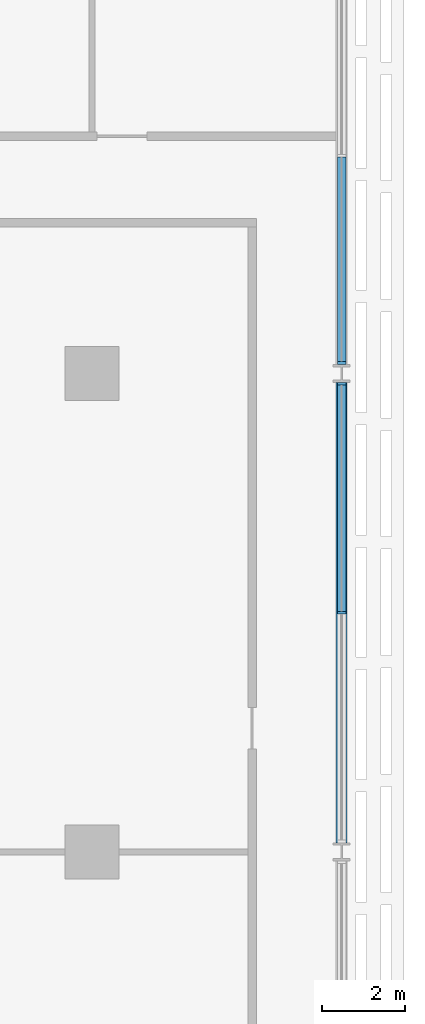
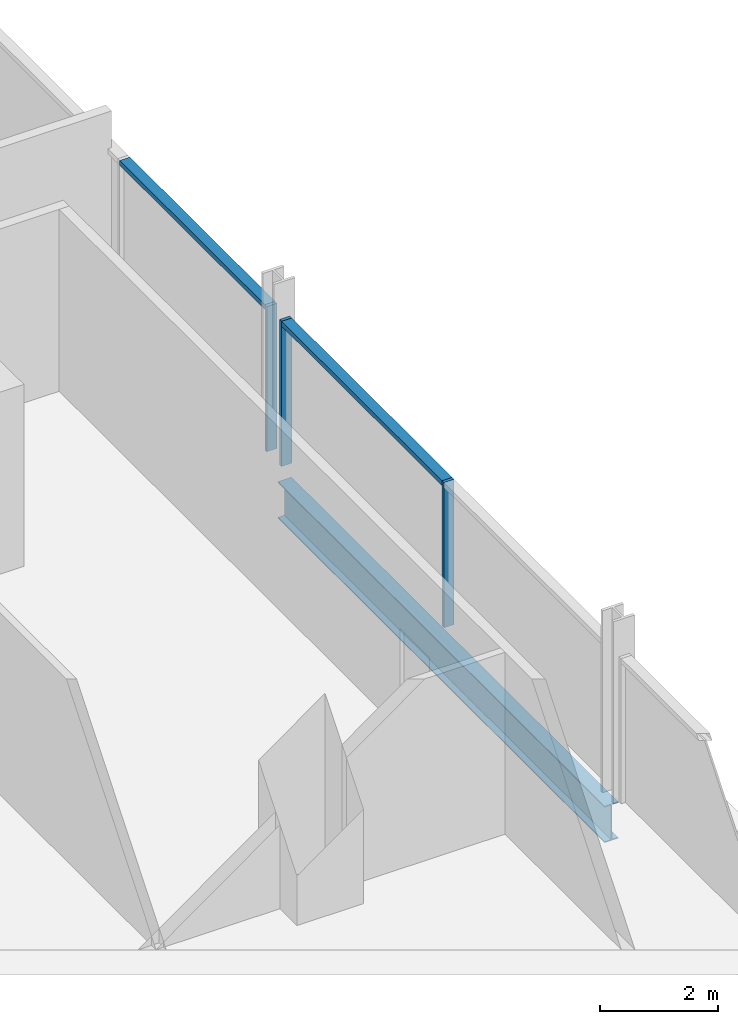
# One storey, part 9 of 28: 5 members, 1 beam, 2 elements without a shape of their own.
"""IFC4 building model written with IfcOpenShell, lengths in metres."""

from ifc_helpers import new_model, si_unit, direction, frame, origin, origin_2d, place, context, subcontext, project, spatial, rectangle, i_section, extrude, material, material_profile, profile_set, type_object, element, aggregate, save


model = new_model("IFC4")

# Units and contexts
model_context = context("Model", 3, precision=1e-05, world=origin(), true_north=direction((0.0, 1.0)))
body_context = subcontext(model_context, "Body", "Model", "MODEL_VIEW")
ifc_project = project(units=[si_unit("LENGTHUNIT", "METRE"), si_unit("AREAUNIT", "SQUARE_METRE"), si_unit("VOLUMEUNIT", "CUBIC_METRE"), si_unit("PLANEANGLEUNIT", "RADIAN"), si_unit("MASSUNIT", "GRAM", prefix="KILO")], contexts=[model_context])

# Site, building, storey
site_placement = place(None, origin())
site = spatial("IfcSite", under=ifc_project, at=site_placement, CompositionType="ELEMENT")
building_placement = place(site_placement, origin())
building = spatial("IfcBuilding", under=site, at=building_placement, Name="Mahtab Terrace Research Tower", CompositionType="ELEMENT")
storey_placement = place(building_placement, frame((0.0, 0.0, 134.300048828125)))
storey = spatial("IfcBuildingStorey", under=building, at=storey_placement, Name="L31", CompositionType="ELEMENT", Elevation=134.300048828125)

# Curtain wall, members
ifc_material_1 = material(Name="Laboratory ribbon curtain wall")
curtain_wall_type = type_object("IfcCurtainWallType", Name="Laboratory ribbon curtain wall", PredefinedType="NOTDEFINED", material=ifc_material_1)
curtain_wall_1_placement = place(storey_placement, origin())
curtain_wall_1 = element("IfcCurtainWall", 1, at=curtain_wall_1_placement, inside=storey, type_object=curtain_wall_type, Name="EN.L31.18.37", PredefinedType="NOTDEFINED")
ifc_material_2 = material(Name="Natural anodised aluminium", Category="aluminium")
ifc_material_profile_1 = material_profile(ifc_material_2, rectangle(XDim=0.199951171875, YDim=0.06494140625, at=origin_2d()), Name="MULLION 65x200")
ifc_profile_set_1 = profile_set([ifc_material_profile_1], Name="Natural anodised aluminium")
member_type_1 = type_object("IfcMemberType", Name="Laboratory ribbon curtain wall mullion", PredefinedType="MULLION", material=ifc_profile_set_1)
member_1_placement = place(storey_placement, frame((48.0, 5.75, 0.0), z_axis=(0.0, 0.0, 1.0), x_axis=(-1.0, 0.0, 0.0)))
member_1 = element("IfcMember", 2, at=member_1_placement, type_object=member_type_1, Name="CWL-4 mullion 2", PredefinedType="MULLION", context=body_context, shape_type="SweptSolid", body=[
    extrude(rectangle(XDim=0.199951171875, YDim=0.06494140625, at=origin_2d()), origin(), (0.0, 0.0, 1.0), 3.0029296875),
])
member_2_placement = place(storey_placement, frame((48.0, 11.24951171875, 0.0), z_axis=(0.0, 0.0, 1.0), x_axis=(-1.0, 0.0, 0.0)))
member_2 = element("IfcMember", 3, at=member_2_placement, type_object=member_type_1, Name="CWL-4 mullion 3", PredefinedType="MULLION", context=body_context, shape_type="SweptSolid", body=[
    extrude(rectangle(XDim=0.199951171875, YDim=0.06494140625, at=origin_2d()), origin(), (0.0, 0.0, 1.0), 3.0029296875),
])

# Curtain wall, member
curtain_wall_2_placement = place(storey_placement, origin())
curtain_wall_2 = element("IfcCurtainWall", 4, at=curtain_wall_2_placement, inside=storey, type_object=curtain_wall_type, Name="EN.L31.18.38", PredefinedType="NOTDEFINED")
member_3_placement = place(storey_placement, frame((48.0, 11.75048828125, 0.0), z_axis=(0.0, 0.0, 1.0), x_axis=(-1.0, 0.0, 0.0)))
member_3 = element("IfcMember", 5, at=member_3_placement, type_object=member_type_1, Name="CWL-4 mullion 1", PredefinedType="MULLION", context=body_context, shape_type="SweptSolid", body=[
    extrude(rectangle(XDim=0.199951171875, YDim=0.06494140625, at=origin_2d()), origin(), (0.0, 0.0, 1.0), 3.0029296875),
])

# Member
ifc_material_profile_2 = material_profile(ifc_material_2, rectangle(XDim=0.199951171875, YDim=0.10009765625, at=origin_2d()), Name="TRANSOM 100x200")
ifc_profile_set_2 = profile_set([ifc_material_profile_2], Name="Natural anodised aluminium")
member_type_2 = type_object("IfcMemberType", Name="Laboratory ribbon curtain wall transom", PredefinedType="USERDEFINED", material=ifc_profile_set_2)
member_4_placement = place(storey_placement, frame((48.0, 5.782470703125, 2.953125), z_axis=(0.0, 1.0, 0.0), x_axis=(-1.0, 0.0, 0.0)))
member_4 = element("IfcMember", 6, at=member_4_placement, type_object=member_type_2, Name="CWL-4 transom 2", ObjectType="TRANSOM", PredefinedType="USERDEFINED", context=body_context, shape_type="SweptSolid", body=[
    extrude(rectangle(XDim=0.199951171875, YDim=0.10009765625, at=origin_2d()), origin(), (0.0, 0.0, 1.0), 5.4345703125),
])

aggregate(curtain_wall_1, [member_1, member_2, member_4])

member_5_placement = place(storey_placement, frame((48.0, 11.782958984375, 2.953125), z_axis=(0.0, 1.0, 0.0), x_axis=(-1.0, 0.0, 0.0)))
member_5 = element("IfcMember", 7, at=member_5_placement, type_object=member_type_2, Name="CWL-4 transom 1", ObjectType="TRANSOM", PredefinedType="USERDEFINED", context=body_context, shape_type="SweptSolid", body=[
    extrude(rectangle(XDim=0.199951171875, YDim=0.10009765625, at=origin_2d()), origin(), (0.0, 0.0, 1.0), 4.91552734375),
])

aggregate(curtain_wall_2, [member_3, member_5])

# Beam
ifc_material_3 = material(Name="Steel ASTM A992 Gr 50", Category="steel")
ifc_material_profile_3 = material_profile(ifc_material_3, i_section(OverallWidth=0.2666015625, OverallDepth=0.7568359375, WebThickness=0.013916015625, FlangeThickness=0.019287109375, at=origin_2d()), Name="W30X108")
ifc_profile_set_3 = profile_set([ifc_material_profile_3], Name="Steel ASTM A992 Gr 50")
beam_type = type_object("IfcBeamType", Name="W30x108 beam BS30108", PredefinedType="BEAM", material=ifc_profile_set_3)
beam_placement = place(storey_placement, frame((48.0, 0.217041015625, -0.718505859375), z_axis=(0.0, 1.0, 0.0), x_axis=(-1.0, 0.0, 0.0)))
element("IfcBeam", 8, at=beam_placement, inside=storey, type_object=beam_type, Name="Spandrel beam L31 23", PredefinedType="BEAM", context=body_context, shape_type="SweptSolid", body=[
    extrude(i_section(OverallWidth=0.2666015625, OverallDepth=0.7568359375, WebThickness=0.013916015625, FlangeThickness=0.019287109375, at=origin_2d()), origin(), (0.0, 0.0, 1.0), 11.06591796875),
])

save(model, "model.ifc")
